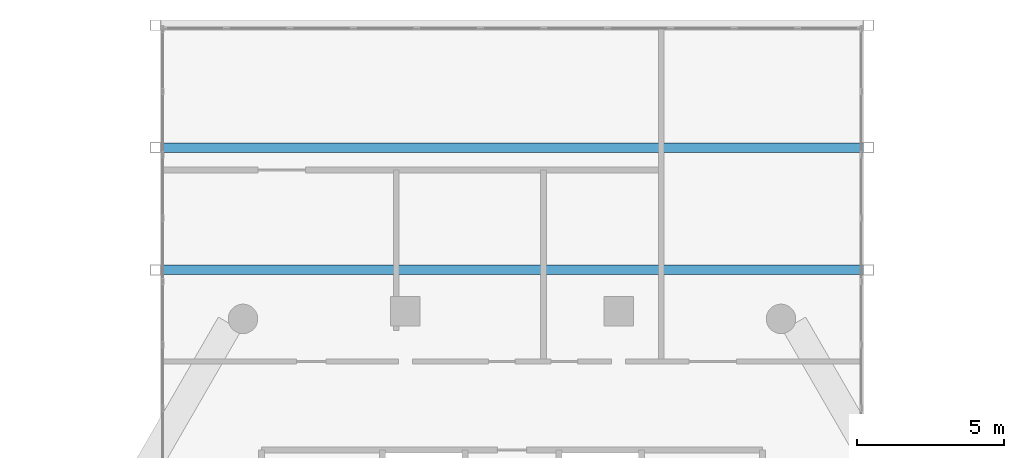
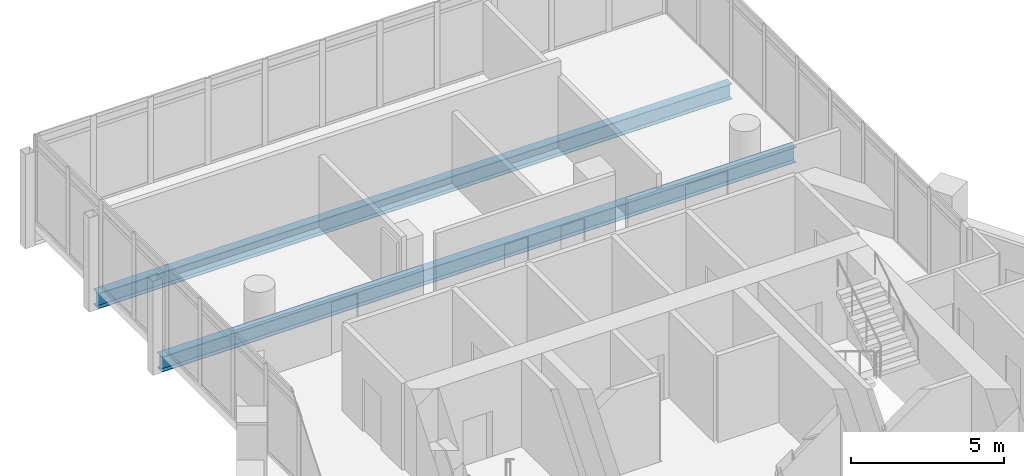
# One storey, part 16 of 29: 2 beams.
"""IFC4 building model written with IfcOpenShell, lengths in metres."""

import ifcopenshell
import ifcopenshell.guid

model = None  # the IFC model being written
_history = None  # IfcOwnerHistory: only IFC2X3 demands one
_inside = {}  # id of a spatial element -> (the spatial element, [elements in it])
_under = {}  # id of a project, library or spatial element -> (it, [spatial elements below it])
_declared = {}  # id of a project -> (the project, [libraries it declares])
_typed = {}  # id of a type object -> (the type object, [elements of that type])
_made_of = {}  # id of a material, layer set ... -> (it, [elements and type objects made of it])


def new_model(schema):
    """Start an empty IFC model of exactly this schema.

    Asked for "IFC4X3", IfcOpenShell would pick the latest addendum, in which some entities
    have other attributes; the version numbers below select the first issue.
    IFC2X3 requires an IfcOwnerHistory on every rooted entity: one is made here for all.
    """
    global model, _history
    if schema == "IFC4X3":
        model = ifcopenshell.file(schema_version=(4, 3, 0, 0))
    else:
        model = ifcopenshell.file(schema=schema)
    _inside.clear()
    _under.clear()
    _declared.clear()
    _typed.clear()
    _made_of.clear()
    _history = None
    if model.schema == "IFC2X3":
        org = make("IfcOrganization", Name="unknown")
        user = make(
            "IfcPersonAndOrganization",
            ThePerson=make("IfcPerson", FamilyName="unknown"),
            TheOrganization=org,
        )
        app = make(
            "IfcApplication",
            ApplicationDeveloper=org,
            Version="unknown",
            ApplicationFullName="unknown",
            ApplicationIdentifier="unknown",
        )
        _history = make(
            "IfcOwnerHistory",
            OwningUser=user,
            OwningApplication=app,
            ChangeAction="ADDED",
            CreationDate=0,
        )
    return model


def make(cls, **values):
    """One entity of the class cls with the attributes given. An attribute that is None is left unset."""
    return model.create_entity(
        cls, **{name: value for name, value in values.items() if value is not None}
    )


def rooted(cls, **values):
    """An entity with a GlobalId (a new one), such as an element, a storey or a relation."""
    return make(cls, GlobalId=ifcopenshell.guid.new(), OwnerHistory=_history, **values)


def si_unit(unit_type, name, prefix=None):
    """IfcSIUnit, for example si_unit("LENGTHUNIT", "METRE", prefix="MILLI")."""
    return make("IfcSIUnit", UnitType=unit_type, Prefix=prefix, Name=name)


def assignment(units):
    """IfcUnitAssignment: the units of a project."""
    return None if units is None else make("IfcUnitAssignment", Units=units)


def point(xyz):
    """IfcCartesianPoint."""
    return None if xyz is None else make("IfcCartesianPoint", Coordinates=xyz)


def direction(xyz):
    """IfcDirection."""
    return None if xyz is None else make("IfcDirection", DirectionRatios=xyz)


def frame(location, z_axis=None, x_axis=None):
    """IfcAxis2Placement3D, a coordinate frame: its origin and axes. An axis left out is left unset."""
    return make(
        "IfcAxis2Placement3D",
        Location=point(location),
        Axis=direction(z_axis),
        RefDirection=direction(x_axis),
    )


def frame_2d(location, x_axis=None):
    """IfcAxis2Placement2D, a coordinate frame in the plane: its origin and x axis."""
    return make(
        "IfcAxis2Placement2D", Location=point(location), RefDirection=direction(x_axis)
    )


def origin():
    """The frame at (0, 0, 0) with its axes left unset."""
    return frame((0.0, 0.0, 0.0))


def origin_2d():
    """The frame at (0, 0) in the plane with its x axis left unset."""
    return frame_2d((0.0, 0.0))


def place(relative_to, where):
    """IfcLocalPlacement: puts the frame where relative to a parent placement (None: the world)."""
    return make(
        "IfcLocalPlacement", PlacementRelTo=relative_to, RelativePlacement=where
    )


def context(
    kind, dimensions, precision=None, world=None, true_north=None, identifier=None
):
    """IfcGeometricRepresentationContext, for example the 3D "Model" context."""
    return make(
        "IfcGeometricRepresentationContext",
        ContextIdentifier=identifier,
        ContextType=kind,
        CoordinateSpaceDimension=dimensions,
        Precision=precision,
        WorldCoordinateSystem=world,
        TrueNorth=true_north,
    )


def subcontext(parent, identifier, kind, view, scale=None):
    """IfcGeometricRepresentationSubContext, for example "Body" below "Model"."""
    return make(
        "IfcGeometricRepresentationSubContext",
        ContextIdentifier=identifier,
        ContextType=kind,
        ParentContext=parent,
        TargetScale=scale,
        TargetView=view,
    )


def project(units=None, contexts=None):
    """IfcProject with its units and contexts."""
    return rooted(
        "IfcProject",
        Name="project",
        RepresentationContexts=contexts,
        UnitsInContext=assignment(units),
    )


def spatial(cls, under=None, at=None, **own):
    """A site, building, storey or space (cls), placed at a placement, below another one or the project."""
    s = rooted(cls, ObjectPlacement=at, **own)
    if under is not None:
        _under.setdefault(under.id(), (under, []))[1].append(s)
    return s


def profile(cls, at=None, kind="AREA", **sizes):
    """A parametric profile (cls). Its sizes go by their IFC names, for example OverallWidth=200.0."""
    return make(cls, ProfileType=kind, Position=at, **sizes)


def i_section(**sizes):
    """IfcIShapeProfileDef."""
    return profile("IfcIShapeProfileDef", **sizes)


def extrude(swept, where, along, depth):
    """IfcExtrudedAreaSolid: the profile swept, set in the frame where, extruded along a direction by depth."""
    return make(
        "IfcExtrudedAreaSolid",
        SweptArea=swept,
        Position=where,
        ExtrudedDirection=direction(along),
        Depth=depth,
    )


def shape(context_of_items, identifier, shape_type, items):
    """IfcShapeRepresentation: the items that make up one representation, for example the "Body"."""
    return make(
        "IfcShapeRepresentation",
        ContextOfItems=context_of_items,
        RepresentationIdentifier=identifier,
        RepresentationType=shape_type,
        Items=items,
    )


def material(Name=None, Category=None):
    """IfcMaterial."""
    return make("IfcMaterial", Name=Name, Category=Category)


def material_profile(
    of_material, cross_section, Name=None, Category=None, Priority=None
):
    """IfcMaterialProfile: a cross section and its material."""
    return make(
        "IfcMaterialProfile",
        Name=Name,
        Material=of_material,
        Profile=cross_section,
        Priority=Priority,
        Category=Category,
    )


def profile_set(profiles, Name=None, composite=None):
    """IfcMaterialProfileSet."""
    return make(
        "IfcMaterialProfileSet",
        Name=Name,
        MaterialProfiles=profiles,
        CompositeProfile=composite,
    )


def made_of(thing, what):
    """Note that an element or type object is made of a material, layer set ...; save() writes the relation."""
    if what is not None:
        _made_of.setdefault(what.id(), (what, []))[1].append(thing)
    return thing


def type_object(cls, material=None, **own):
    """A type object (cls), such as IfcWallType, which elements share."""
    return made_of(rooted(cls, **own), material)


def element(
    cls,
    number,
    at=None,
    inside=None,
    cuts=None,
    type_object=None,
    material=None,
    context=None,
    identifier="Body",
    shape_type=None,
    held_by="IfcProductDefinitionShape",
    body=None,
    shapes=None,
    **own,
):
    """One element of the class cls, such as IfcWall. Its Tag is "e" and its number.

    at: its placement. inside: the storey or other place that contains it. cuts: it is an
    opening in that element (IfcRelVoidsElement). A single representation is given by context,
    identifier, shape_type and body (its items); several are given by shapes. held_by: the class
    of the entity that holds the representations. save() writes the other relations.
    """
    e = rooted(cls, Tag="e%d" % number, ObjectPlacement=at, **own)
    if body is not None:
        shapes = [shape(context, identifier, shape_type, body)]
    if shapes is not None:
        e.Representation = make(held_by, Representations=shapes)
    if inside is not None:
        _inside.setdefault(inside.id(), (inside, []))[1].append(e)
    if cuts is not None:
        rooted(
            "IfcRelVoidsElement", RelatingBuildingElement=cuts, RelatedOpeningElement=e
        )
    if type_object is not None:
        _typed.setdefault(type_object.id(), (type_object, []))[1].append(e)
    return made_of(e, material)


def aggregate(whole, parts):
    """IfcRelAggregates: a whole, such as a stair, and the parts it consists of."""
    return rooted("IfcRelAggregates", RelatingObject=whole, RelatedObjects=parts)


def save(model, path):
    """Write the relations noted so far, then the file.

    IfcRelAggregates (storeys below a building ...), IfcRelContainedInSpatialStructure (elements
    in a storey), IfcRelDefinesByType, IfcRelAssociatesMaterial and IfcRelDeclares: one each for
    every whole, place, type object, material and project.
    """
    for whole, parts in _under.values():
        aggregate(whole, parts)
    for where, things in _inside.values():
        rooted(
            "IfcRelContainedInSpatialStructure",
            RelatedElements=things,
            RelatingStructure=where,
        )
    for kind, things in _typed.values():
        rooted("IfcRelDefinesByType", RelatedObjects=things, RelatingType=kind)
    for what, things in _made_of.values():
        rooted("IfcRelAssociatesMaterial", RelatedObjects=things, RelatingMaterial=what)
    for by, libraries in _declared.values():
        rooted("IfcRelDeclares", RelatingContext=by, RelatedDefinitions=libraries)
    model.write(path)


model = new_model("IFC4")

# Units and contexts
model_context = context("Model", 3, precision=1e-05, world=origin(), true_north=direction((0.0, 1.0)))
body_context = subcontext(model_context, "Body", "Model", "MODEL_VIEW")
ifc_project = project(units=[si_unit("LENGTHUNIT", "METRE"), si_unit("AREAUNIT", "SQUARE_METRE"), si_unit("VOLUMEUNIT", "CUBIC_METRE"), si_unit("PLANEANGLEUNIT", "RADIAN"), si_unit("MASSUNIT", "GRAM", prefix="KILO")], contexts=[model_context])

# Site, building, storey
site_placement = place(None, origin())
site = spatial("IfcSite", under=ifc_project, at=site_placement, CompositionType="ELEMENT")
building_placement = place(site_placement, origin())
building = spatial("IfcBuilding", under=site, at=building_placement, Name="Ostrander Bayou Hotel Tower", CompositionType="ELEMENT")
storey_placement = place(building_placement, frame((0.0, 0.0, 202.0)))
storey = spatial("IfcBuildingStorey", under=building, at=storey_placement, Name="L50", CompositionType="ELEMENT", Elevation=202.0)

# Beams
ifc_material = material(Name="Steel ASTM A992", Category="steel")
ifc_material_profile = material_profile(ifc_material, i_section(OverallWidth=0.32373046875, OverallDepth=0.611083984375, WebThickness=0.0126953125, FlangeThickness=0.01904296875, at=origin_2d()))
ifc_profile_set = profile_set([ifc_material_profile], Name="Steel ASTM A992")
beam_type = type_object("IfcBeamType", Name="TF2 bar floor beam W24x104", PredefinedType="BEAM", material=ifc_profile_set)
for number, where, z_axis, x_axis, name in (
    (1, (-11.93212890625, 23.861328125, -0.605712890625), (1.0, 0.0, 0.0), (0.0, 1.0, 0.0), "TF2 SB4W L3-2"),
    (2, (-11.93212890625, 19.706787109375, -0.605712890625), (1.0, 0.0, 0.0), (0.0, 1.0, 0.0), "TF2 SB4W L3-3"),
):
    element("IfcBeam", number, at=place(storey_placement, frame(where, z_axis=z_axis, x_axis=x_axis)), inside=storey, type_object=beam_type, Name=name, PredefinedType="BEAM", context=body_context, shape_type="SweptSolid", body=[
        extrude(i_section(OverallWidth=0.32373046875, OverallDepth=0.611083984375, WebThickness=0.0126953125, FlangeThickness=0.01904296875, at=origin_2d()), origin(), (0.0, 0.0, 1.0), 23.8642578125),
    ])

save(model, "model.ifc")
